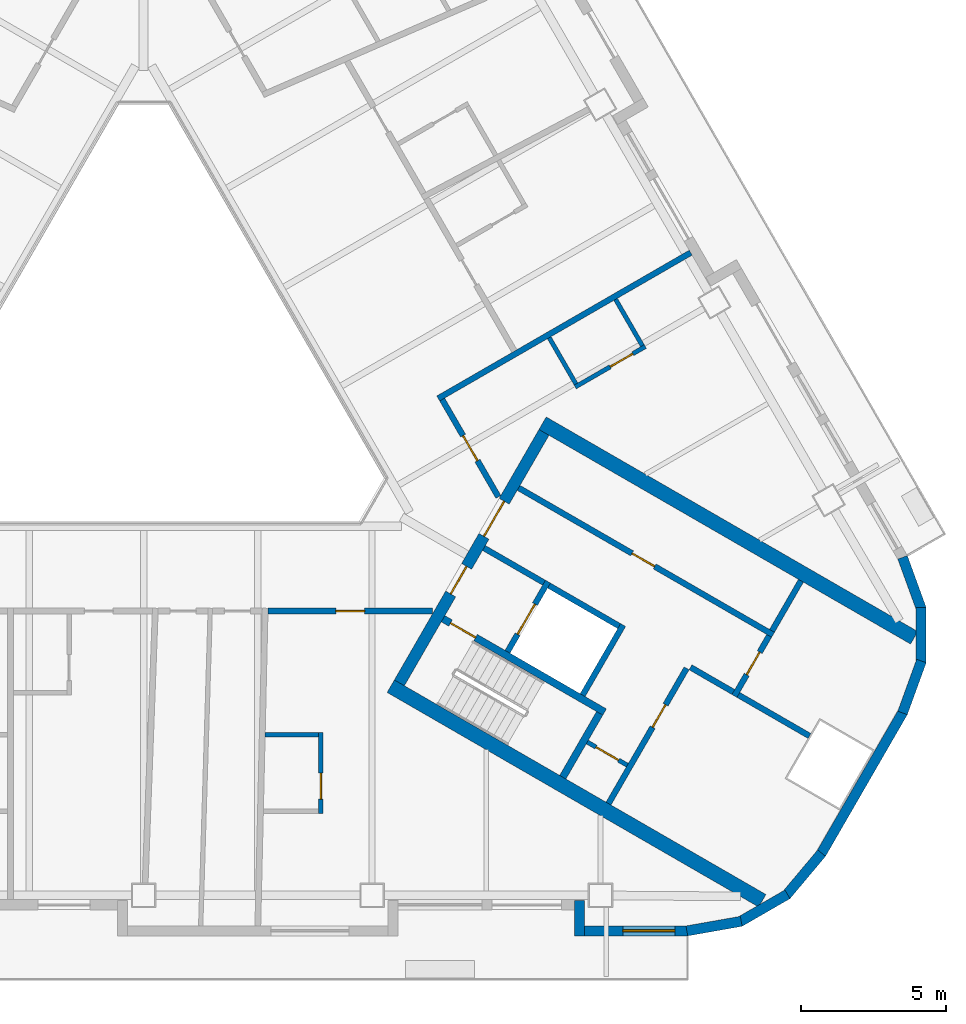
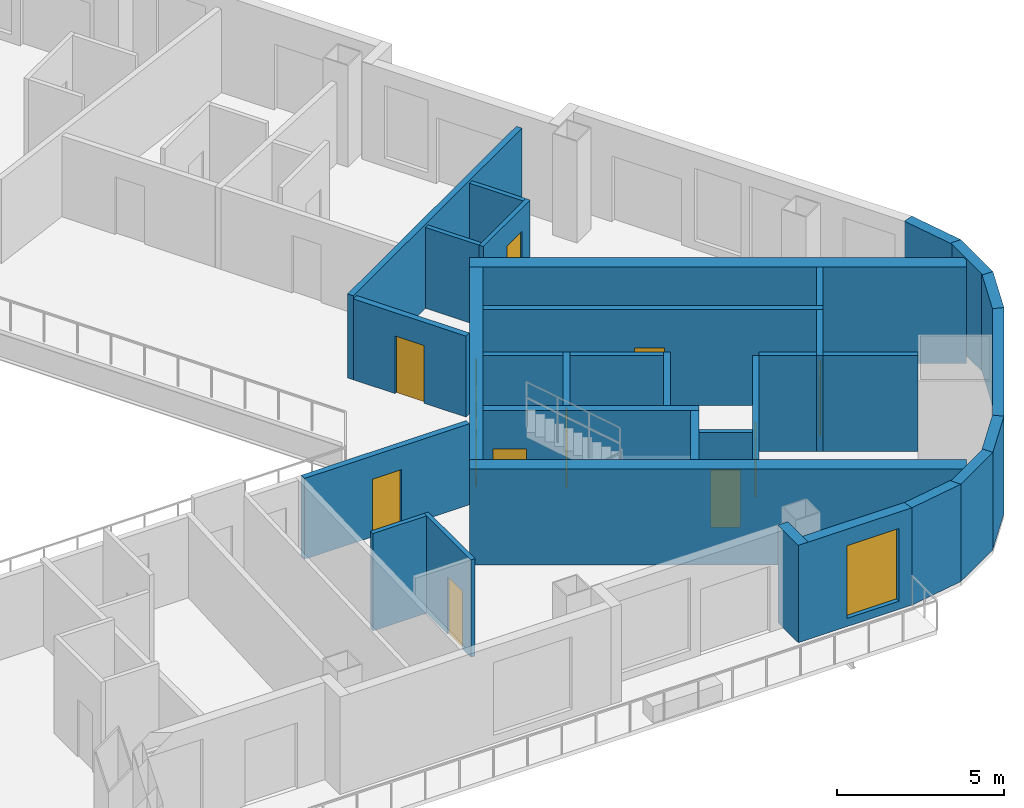
# One storey, part 5 of 14: 33 walls, 12 doors, 1 window, 13 openings.
"""IFC4 building model written with IfcOpenShell, lengths in metres."""

import ifcopenshell
import ifcopenshell.guid

model = None  # the IFC model being written
_history = None  # IfcOwnerHistory: only IFC2X3 demands one
_inside = {}  # id of a spatial element -> (the spatial element, [elements in it])
_under = {}  # id of a project, library or spatial element -> (it, [spatial elements below it])
_declared = {}  # id of a project -> (the project, [libraries it declares])
_typed = {}  # id of a type object -> (the type object, [elements of that type])
_made_of = {}  # id of a material, layer set ... -> (it, [elements and type objects made of it])


def new_model(schema):
    """Start an empty IFC model of exactly this schema.

    Asked for "IFC4X3", IfcOpenShell would pick the latest addendum, in which some entities
    have other attributes; the version numbers below select the first issue.
    IFC2X3 requires an IfcOwnerHistory on every rooted entity: one is made here for all.
    """
    global model, _history
    if schema == "IFC4X3":
        model = ifcopenshell.file(schema_version=(4, 3, 0, 0))
    else:
        model = ifcopenshell.file(schema=schema)
    _inside.clear()
    _under.clear()
    _declared.clear()
    _typed.clear()
    _made_of.clear()
    _history = None
    if model.schema == "IFC2X3":
        org = make("IfcOrganization", Name="unknown")
        user = make(
            "IfcPersonAndOrganization",
            ThePerson=make("IfcPerson", FamilyName="unknown"),
            TheOrganization=org,
        )
        app = make(
            "IfcApplication",
            ApplicationDeveloper=org,
            Version="unknown",
            ApplicationFullName="unknown",
            ApplicationIdentifier="unknown",
        )
        _history = make(
            "IfcOwnerHistory",
            OwningUser=user,
            OwningApplication=app,
            ChangeAction="ADDED",
            CreationDate=0,
        )
    return model


def make(cls, **values):
    """One entity of the class cls with the attributes given. An attribute that is None is left unset."""
    return model.create_entity(
        cls, **{name: value for name, value in values.items() if value is not None}
    )


def rooted(cls, **values):
    """An entity with a GlobalId (a new one), such as an element, a storey or a relation."""
    return make(cls, GlobalId=ifcopenshell.guid.new(), OwnerHistory=_history, **values)


def si_unit(unit_type, name, prefix=None):
    """IfcSIUnit, for example si_unit("LENGTHUNIT", "METRE", prefix="MILLI")."""
    return make("IfcSIUnit", UnitType=unit_type, Prefix=prefix, Name=name)


def assignment(units):
    """IfcUnitAssignment: the units of a project."""
    return None if units is None else make("IfcUnitAssignment", Units=units)


def point(xyz):
    """IfcCartesianPoint."""
    return None if xyz is None else make("IfcCartesianPoint", Coordinates=xyz)


def direction(xyz):
    """IfcDirection."""
    return None if xyz is None else make("IfcDirection", DirectionRatios=xyz)


def frame(location, z_axis=None, x_axis=None):
    """IfcAxis2Placement3D, a coordinate frame: its origin and axes. An axis left out is left unset."""
    return make(
        "IfcAxis2Placement3D",
        Location=point(location),
        Axis=direction(z_axis),
        RefDirection=direction(x_axis),
    )


def frame_2d(location, x_axis=None):
    """IfcAxis2Placement2D, a coordinate frame in the plane: its origin and x axis."""
    return make(
        "IfcAxis2Placement2D", Location=point(location), RefDirection=direction(x_axis)
    )


def origin():
    """The frame at (0, 0, 0) with its axes left unset."""
    return frame((0.0, 0.0, 0.0))


def place(relative_to, where):
    """IfcLocalPlacement: puts the frame where relative to a parent placement (None: the world)."""
    return make(
        "IfcLocalPlacement", PlacementRelTo=relative_to, RelativePlacement=where
    )


def context(
    kind, dimensions, precision=None, world=None, true_north=None, identifier=None
):
    """IfcGeometricRepresentationContext, for example the 3D "Model" context."""
    return make(
        "IfcGeometricRepresentationContext",
        ContextIdentifier=identifier,
        ContextType=kind,
        CoordinateSpaceDimension=dimensions,
        Precision=precision,
        WorldCoordinateSystem=world,
        TrueNorth=true_north,
    )


def subcontext(parent, identifier, kind, view, scale=None):
    """IfcGeometricRepresentationSubContext, for example "Body" below "Model"."""
    return make(
        "IfcGeometricRepresentationSubContext",
        ContextIdentifier=identifier,
        ContextType=kind,
        ParentContext=parent,
        TargetScale=scale,
        TargetView=view,
    )


def project(units=None, contexts=None):
    """IfcProject with its units and contexts."""
    return rooted(
        "IfcProject",
        Name="project",
        RepresentationContexts=contexts,
        UnitsInContext=assignment(units),
    )


def spatial(cls, under=None, at=None, **own):
    """A site, building, storey or space (cls), placed at a placement, below another one or the project."""
    s = rooted(cls, ObjectPlacement=at, **own)
    if under is not None:
        _under.setdefault(under.id(), (under, []))[1].append(s)
    return s


def profile(cls, at=None, kind="AREA", **sizes):
    """A parametric profile (cls). Its sizes go by their IFC names, for example OverallWidth=200.0."""
    return make(cls, ProfileType=kind, Position=at, **sizes)


def rectangle(**sizes):
    """IfcRectangleProfileDef."""
    return profile("IfcRectangleProfileDef", **sizes)


def extrude(swept, where, along, depth):
    """IfcExtrudedAreaSolid: the profile swept, set in the frame where, extruded along a direction by depth."""
    return make(
        "IfcExtrudedAreaSolid",
        SweptArea=swept,
        Position=where,
        ExtrudedDirection=direction(along),
        Depth=depth,
    )


def shape(context_of_items, identifier, shape_type, items):
    """IfcShapeRepresentation: the items that make up one representation, for example the "Body"."""
    return make(
        "IfcShapeRepresentation",
        ContextOfItems=context_of_items,
        RepresentationIdentifier=identifier,
        RepresentationType=shape_type,
        Items=items,
    )


def material(Name=None, Category=None):
    """IfcMaterial."""
    return make("IfcMaterial", Name=Name, Category=Category)


def layer(
    of_material, thickness, ventilated=None, Name=None, Category=None, Priority=None
):
    """IfcMaterialLayer: one layer of a wall or slab, of a material (None: an air gap)."""
    return make(
        "IfcMaterialLayer",
        Material=of_material,
        LayerThickness=thickness,
        IsVentilated=ventilated,
        Name=Name,
        Category=Category,
        Priority=Priority,
    )


def layer_set(layers, Name=None):
    """IfcMaterialLayerSet."""
    return make("IfcMaterialLayerSet", MaterialLayers=layers, LayerSetName=Name)


def made_of(thing, what):
    """Note that an element or type object is made of a material, layer set ...; save() writes the relation."""
    if what is not None:
        _made_of.setdefault(what.id(), (what, []))[1].append(thing)
    return thing


def type_object(cls, material=None, **own):
    """A type object (cls), such as IfcWallType, which elements share."""
    return made_of(rooted(cls, **own), material)


def element(
    cls,
    number,
    at=None,
    inside=None,
    cuts=None,
    type_object=None,
    material=None,
    context=None,
    identifier="Body",
    shape_type=None,
    held_by="IfcProductDefinitionShape",
    body=None,
    shapes=None,
    **own,
):
    """One element of the class cls, such as IfcWall. Its Tag is "e" and its number.

    at: its placement. inside: the storey or other place that contains it. cuts: it is an
    opening in that element (IfcRelVoidsElement). A single representation is given by context,
    identifier, shape_type and body (its items); several are given by shapes. held_by: the class
    of the entity that holds the representations. save() writes the other relations.
    """
    e = rooted(cls, Tag="e%d" % number, ObjectPlacement=at, **own)
    if body is not None:
        shapes = [shape(context, identifier, shape_type, body)]
    if shapes is not None:
        e.Representation = make(held_by, Representations=shapes)
    if inside is not None:
        _inside.setdefault(inside.id(), (inside, []))[1].append(e)
    if cuts is not None:
        rooted(
            "IfcRelVoidsElement", RelatingBuildingElement=cuts, RelatedOpeningElement=e
        )
    if type_object is not None:
        _typed.setdefault(type_object.id(), (type_object, []))[1].append(e)
    return made_of(e, material)


def fill(opening, filler):
    """IfcRelFillsElement: the door or window that sits in an opening."""
    return rooted(
        "IfcRelFillsElement",
        RelatingOpeningElement=opening,
        RelatedBuildingElement=filler,
    )


def aggregate(whole, parts):
    """IfcRelAggregates: a whole, such as a stair, and the parts it consists of."""
    return rooted("IfcRelAggregates", RelatingObject=whole, RelatedObjects=parts)


def save(model, path):
    """Write the relations noted so far, then the file.

    IfcRelAggregates (storeys below a building ...), IfcRelContainedInSpatialStructure (elements
    in a storey), IfcRelDefinesByType, IfcRelAssociatesMaterial and IfcRelDeclares: one each for
    every whole, place, type object, material and project.
    """
    for whole, parts in _under.values():
        aggregate(whole, parts)
    for where, things in _inside.values():
        rooted(
            "IfcRelContainedInSpatialStructure",
            RelatedElements=things,
            RelatingStructure=where,
        )
    for kind, things in _typed.values():
        rooted("IfcRelDefinesByType", RelatedObjects=things, RelatingType=kind)
    for what, things in _made_of.values():
        rooted("IfcRelAssociatesMaterial", RelatedObjects=things, RelatingMaterial=what)
    for by, libraries in _declared.values():
        rooted("IfcRelDeclares", RelatingContext=by, RelatedDefinitions=libraries)
    model.write(path)


model = new_model("IFC4")

# Units and contexts
model_context = context("Model", 3, precision=1e-05, world=origin(), true_north=direction((0.0, 1.0)))
body_context = subcontext(model_context, "Body", "Model", "MODEL_VIEW")
ifc_project = project(units=[si_unit("LENGTHUNIT", "METRE"), si_unit("AREAUNIT", "SQUARE_METRE"), si_unit("VOLUMEUNIT", "CUBIC_METRE"), si_unit("PLANEANGLEUNIT", "RADIAN"), si_unit("MASSUNIT", "GRAM", prefix="KILO")], contexts=[model_context])

# Site, building, storey
site_placement = place(None, origin())
site = spatial("IfcSite", under=ifc_project, at=site_placement, CompositionType="ELEMENT")
building_placement = place(site_placement, origin())
building = spatial("IfcBuilding", under=site, at=building_placement, Name="Apuvela Tower Hotel", CompositionType="ELEMENT")
storey_placement = place(building_placement, frame((0.0, 0.0, 157.699951171875)))
storey = spatial("IfcBuildingStorey", under=building, at=storey_placement, Name="L37", CompositionType="ELEMENT", Elevation=157.699951171875)

# Wall, openings, doors
ifc_material_1 = material(Name="Concrete C50/60", Category="concrete")
ifc_layer_1 = layer(ifc_material_1, 0.39990234375)
ifc_layer_set_1 = layer_set([ifc_layer_1], Name="COR-WALL-CORE-400")
wall_type_1 = type_object("IfcWallType", Name="COR-WALL-CORE-400", PredefinedType="SHEAR", material=ifc_layer_set_1)
wall_1_placement = place(storey_placement, frame((8.844970703125, -10.880126953125, 0.0), z_axis=(0.0, 0.0, 1.0), x_axis=(0.500004234368, 0.866022959057, 0.0)))
wall_1 = element("IfcWall", 1, at=wall_1_placement, inside=storey, type_object=wall_type_1, Name="Core wall SE", PredefinedType="SHEAR", context=body_context, shape_type="SweptSolid", body=[
    extrude(rectangle(XDim=10.0, YDim=0.39990234375, at=frame_2d((5.0, 0.0))), origin(), (0.0, 0.0, 1.0), 3.5),
])
opening_1_placement = place(wall_1_placement, frame((3.550048828125, 0.0, 0.0)))
opening_1 = element("IfcOpeningElement", 2, at=opening_1_placement, cuts=wall_1, Name="Opening E-FD", PredefinedType="OPENING", context=body_context, shape_type="SweptSolid", body=[
    extrude(rectangle(XDim=1.10009765625, YDim=2.10009765625, at=frame_2d((0.550048828125, 1.050048828125))), frame((0.0, 0.2099609375, 0.0), z_axis=(0.0, -1.0, 0.0), x_axis=(1.0, 0.0, 0.0)), (0.0, 0.0, 1.0), 0.419921875),
])
opening_2_placement = place(wall_1_placement, frame((5.85009765625, 0.0, 0.0)))
opening_2 = element("IfcOpeningElement", 3, at=opening_2_placement, cuts=wall_1, Name="Opening E-GD", PredefinedType="OPENING", context=body_context, shape_type="SweptSolid", body=[
    extrude(rectangle(XDim=1.39990234375, YDim=2.10009765625, at=frame_2d((0.699951171875, 1.050048828125))), frame((0.0, 0.2099609375, 0.0), z_axis=(0.0, -1.0, 0.0), x_axis=(1.0, 0.0, 0.0)), (0.0, 0.0, 1.0), 0.419921875),
])
ifc_material_2 = material(Name="Steel fire door, powder coated", Category="steel")
door_type_1 = type_object("IfcDoorType", Name="COR-FD-1100", OperationType="NOTDEFINED", PredefinedType="DOOR", material=ifc_material_2)
door_1_placement = place(opening_1_placement, frame((1.10009765625, 0.0, 0.0), z_axis=(0.0, 0.0, 1.0), x_axis=(-1.0, 0.0, 0.0)))
door_1 = element("IfcDoor", 4, at=door_1_placement, inside=storey, type_object=door_type_1, Name="Firefighting lobby door E-FD", OperationType="SINGLE_SWING_LEFT", OverallHeight=2.10009765625, OverallWidth=1.10009765625, PredefinedType="DOOR", context=body_context, shape_type="SweptSolid", body=[
    extrude(rectangle(XDim=1.10009765625, YDim=2.10009765625, at=frame_2d((0.550048828125, 1.050048828125))), frame((0.0, 0.02490234375, 0.0), z_axis=(0.0, -1.0, 0.0), x_axis=(1.0, 0.0, 0.0)), (0.0, 0.0, 1.0), 0.050048828125),
])
fill(opening_1, door_1)
ifc_material_3 = material(Name="Glazed steel fire door", Category="steel")
door_type_2 = type_object("IfcDoorType", Name="COR-GD-1400", OperationType="DOUBLE_DOOR_SINGLE_SWING", PredefinedType="DOOR", material=ifc_material_3)
door_2_placement = place(opening_2_placement, frame((1.39990234375, 0.0, 0.0), z_axis=(0.0, 0.0, 1.0), x_axis=(-1.0, 0.0, 0.0)))
door_2 = element("IfcDoor", 5, at=door_2_placement, inside=storey, type_object=door_type_2, Name="Lift lobby door E-GD", OperationType="DOUBLE_DOOR_SINGLE_SWING", OverallHeight=2.10009765625, OverallWidth=1.39990234375, PredefinedType="DOOR", context=body_context, shape_type="SweptSolid", body=[
    extrude(rectangle(XDim=1.39990234375, YDim=2.10009765625, at=frame_2d((0.699951171875, 1.050048828125))), frame((0.0, 0.02490234375, 0.0), z_axis=(0.0, -1.0, 0.0), x_axis=(1.0, 0.0, 0.0)), (0.0, 0.0, 1.0), 0.050048828125),
])
fill(opening_2, door_2)

# Walls
ifc_layer_2 = layer(ifc_material_1, 0.5)
ifc_layer_set_2 = layer_set([ifc_layer_2], Name="COR-WALL-CORE-500")
wall_type_2 = type_object("IfcWallType", Name="COR-WALL-CORE-500", PredefinedType="SHEAR", material=ifc_layer_set_2)
for number, where, z_axis, x_axis, name in (
    (6, (8.546630859375, -10.99658203125, 0.0), (0.0, 0.0, 1.0), (0.866025009528, -0.500000682871, 0.0), "Core wall SE"),
    (7, (13.796630859375, -1.9033203125, 0.0), (0.0, 0.0, 1.0), (0.866025009528, -0.500000682871, 0.0), "Core wall SE"),
):
    element("IfcWall", number, at=place(storey_placement, frame(where, z_axis=z_axis, x_axis=x_axis)), inside=storey, type_object=wall_type_2, Name=name, PredefinedType="SHEAR", context=body_context, shape_type="SweptSolid", body=[
        extrude(rectangle(XDim=14.8369140625, YDim=0.5, at=frame_2d((7.41845703125, 0.0))), origin(), (0.0, 0.0, 1.0), 3.5),
    ])

# Wall, opening, door
ifc_material_4 = material(Name="Blockwork 150 mm plastered", Category="masonry")
ifc_layer_3 = layer(ifc_material_4, 0.14990234375)
ifc_layer_set_3 = layer_set([ifc_layer_3], Name="COR-WALL-PART-150")
wall_type_3 = type_object("IfcWallType", Name="COR-WALL-PART-150", PredefinedType="PARTITIONING", material=ifc_layer_set_3)
wall_2_placement = place(storey_placement, frame((15.341552734375, -12.927734375, 0.0), z_axis=(0.0, 0.0, 1.0), x_axis=(0.865989903783, -0.500061482766, 0.0)))
wall_2 = element("IfcWall", 8, at=wall_2_placement, inside=storey, type_object=wall_type_3, Name="Partition SE", PredefinedType="PARTITIONING", context=body_context, shape_type="SweptSolid", body=[
    extrude(rectangle(XDim=1.599853515625, YDim=0.14990234375, at=frame_2d((0.7998046875, 0.0))), origin(), (0.0, 0.0, 1.0), 3.5),
])
opening_3_placement = place(wall_2_placement, frame((0.35009765625, 0.0, 0.0)))
opening_3 = element("IfcOpeningElement", 9, at=opening_3_placement, cuts=wall_2, Name="Opening E-RD", PredefinedType="OPENING", context=body_context, shape_type="SweptSolid", body=[
    extrude(rectangle(XDim=0.89990234375, YDim=2.10009765625, at=frame_2d((0.449951171875, 1.050048828125))), frame((0.0, 0.0849609375, 0.0), z_axis=(0.0, -1.0, 0.0), x_axis=(1.0, 0.0, 0.0)), (0.0, 0.0, 1.0), 0.169921875),
])
ifc_material_5 = material(Name="Steel access door, powder coated", Category="steel")
door_type_3 = type_object("IfcDoorType", Name="COR-RD-900", OperationType="NOTDEFINED", PredefinedType="DOOR", material=ifc_material_5)
door_3_placement = place(opening_3_placement, frame((0.89990234375, 0.0, 0.0), z_axis=(0.0, 0.0, 1.0), x_axis=(-1.0, 0.0, 0.0)))
door_3 = element("IfcDoor", 10, at=door_3_placement, inside=storey, type_object=door_type_3, Name="Riser door E-RD", OperationType="SINGLE_SWING_LEFT", OverallHeight=2.10009765625, OverallWidth=0.89990234375, PredefinedType="DOOR", context=body_context, shape_type="SweptSolid", body=[
    extrude(rectangle(XDim=0.89990234375, YDim=2.10009765625, at=frame_2d((0.449951171875, 1.050048828125))), frame((0.0, 0.02490234375, 0.0), z_axis=(0.0, -1.0, 0.0), x_axis=(1.0, 0.0, 0.0)), (0.0, 0.0, 1.0), 0.050048828125),
])
fill(opening_3, door_3)

ifc_material_6 = material(Name="Blockwork 200 mm plastered", Category="masonry")
ifc_layer_4 = layer(ifc_material_6, 0.199951171875)
ifc_layer_set_4 = layer_set([ifc_layer_4], Name="COR-WALL-PART-200")
wall_type_4 = type_object("IfcWallType", Name="COR-WALL-PART-200", PredefinedType="PARTITIONING", material=ifc_layer_set_4)
wall_3_placement = place(storey_placement, frame((16.076171875, -15.05517578125, 0.0), z_axis=(0.0, 0.0, 1.0), x_axis=(0.499995103361, 0.866028230842, 0.0)))
wall_3 = element("IfcWall", 11, at=wall_3_placement, inside=storey, type_object=wall_type_4, Name="Partition SE", PredefinedType="PARTITIONING", context=body_context, shape_type="SweptSolid", body=[
    extrude(rectangle(XDim=5.39990234375, YDim=0.199951171875, at=frame_2d((2.699951171875, 0.0))), origin(), (0.0, 0.0, 1.0), 3.5),
])
opening_4_placement = place(wall_3_placement, frame((3.050048828125, 0.0, 0.0)))
opening_4 = element("IfcOpeningElement", 12, at=opening_4_placement, cuts=wall_3, Name="Opening E-RS1", PredefinedType="OPENING", context=body_context, shape_type="SweptSolid", body=[
    extrude(rectangle(XDim=0.89990234375, YDim=2.10009765625, at=frame_2d((0.449951171875, 1.050048828125))), frame((0.0, 0.10986328125, 0.0), z_axis=(0.0, -1.0, 0.0), x_axis=(1.0, 0.0, 0.0)), (0.0, 0.0, 1.0), 0.219970703125),
])
door_type_4 = type_object("IfcDoorType", Name="COR-DR-900", OperationType="NOTDEFINED", PredefinedType="DOOR", material=ifc_material_2)
door_4_placement = place(opening_4_placement, frame((0.89990234375, 0.0, 0.0), z_axis=(0.0, 0.0, 1.0), x_axis=(-1.0, 0.0, 0.0)))
door_4 = element("IfcDoor", 13, at=door_4_placement, inside=storey, type_object=door_type_4, Name="Store door E-RS1", OperationType="SINGLE_SWING_LEFT", OverallHeight=2.10009765625, OverallWidth=0.89990234375, PredefinedType="DOOR", context=body_context, shape_type="SweptSolid", body=[
    extrude(rectangle(XDim=0.89990234375, YDim=2.10009765625, at=frame_2d((0.449951171875, 1.050048828125))), frame((0.0, 0.02490234375, 0.0), z_axis=(0.0, -1.0, 0.0), x_axis=(1.0, 0.0, 0.0)), (0.0, 0.0, 1.0), 0.050048828125),
])
fill(opening_4, door_4)

# Wall
ifc_layer_5 = layer(ifc_material_1, 0.199951171875)
ifc_layer_set_5 = layer_set([ifc_layer_5], Name="COR-WALL-SHAFT-200")
wall_type_5 = type_object("IfcWallType", Name="COR-WALL-SHAFT-200", PredefinedType="SHEAR", material=ifc_layer_set_5)
wall_4_placement = place(storey_placement, frame((15.181396484375, -11.305419921875, 0.0), z_axis=(0.0, 0.0, 1.0), x_axis=(0.49994636267, 0.866056369097, 0.0)))
element("IfcWall", 14, at=wall_4_placement, inside=storey, type_object=wall_type_5, Name="Shaft wall SE", PredefinedType="SHEAR", context=body_context, shape_type="SweptSolid", body=[
    extrude(rectangle(XDim=2.800048828125, YDim=0.199951171875, at=frame_2d((1.39990234375, 0.0))), origin(), (0.0, 0.0, 1.0), 3.5),
])

# Wall, opening, door
wall_5_placement = place(storey_placement, frame((12.583251953125, -9.805419921875, 0.0), z_axis=(0.0, 0.0, 1.0), x_axis=(0.49994636267, 0.866056369097, 0.0)))
wall_5 = element("IfcWall", 15, at=wall_5_placement, inside=storey, type_object=wall_type_5, Name="Shaft wall SE", PredefinedType="SHEAR", context=body_context, shape_type="SweptSolid", body=[
    extrude(rectangle(XDim=2.800048828125, YDim=0.199951171875, at=frame_2d((1.39990234375, 0.0))), origin(), (0.0, 0.0, 1.0), 3.5),
])
opening_5_placement = place(wall_5_placement, frame((0.699951171875, 0.0, 0.0)))
opening_5 = element("IfcOpeningElement", 16, at=opening_5_placement, cuts=wall_5, Name="Opening E-LD-FS3", PredefinedType="OPENING", context=body_context, shape_type="SweptSolid", body=[
    extrude(rectangle(XDim=1.199951171875, YDim=2.10009765625, at=frame_2d((0.60009765625, 1.050048828125))), frame((0.0, 0.10986328125, 0.0), z_axis=(0.0, -1.0, 0.0), x_axis=(1.0, 0.0, 0.0)), (0.0, 0.0, 1.0), 0.219970703125),
])
ifc_material_7 = material(Name="Stainless steel lift landing door", Category="steel")
door_type_5 = type_object("IfcDoorType", Name="COR-LD-1200", OperationType="DOUBLE_DOOR_SLIDING", PredefinedType="DOOR", material=ifc_material_7)
door_5_placement = place(opening_5_placement, origin())
door_5 = element("IfcDoor", 17, at=door_5_placement, inside=storey, type_object=door_type_5, Name="Lift landing door E-LD-FS3", OperationType="DOUBLE_DOOR_SLIDING", OverallHeight=2.10009765625, OverallWidth=1.199951171875, PredefinedType="DOOR", context=body_context, shape_type="SweptSolid", body=[
    extrude(rectangle(XDim=1.199951171875, YDim=2.10009765625, at=frame_2d((0.60009765625, 1.050048828125))), frame((0.0, 0.02490234375, 0.0), z_axis=(0.0, -1.0, 0.0), x_axis=(1.0, 0.0, 0.0)), (0.0, 0.0, 1.0), 0.050048828125),
])
fill(opening_5, door_5)

# Walls
wall_6_placement = place(storey_placement, frame((11.76806640625, -6.217041015625, 0.0), z_axis=(0.0, 0.0, 1.0), x_axis=(0.866050077142, -0.499957262057, 0.0)))
element("IfcWall", 18, at=wall_6_placement, inside=storey, type_object=wall_type_5, Name="Shaft wall SE", PredefinedType="SHEAR", context=body_context, shape_type="SweptSolid", body=[
    extrude(rectangle(XDim=2.400146484375, YDim=0.199951171875, at=frame_2d((1.2001953125, 0.0))), origin(), (0.0, 0.0, 1.0), 3.5),
])
wall_7_placement = place(storey_placement, frame((14.019775390625, -7.51708984375, 0.0), z_axis=(0.0, 0.0, 1.0), x_axis=(0.866034573852, -0.49998411664, 0.0)))
element("IfcWall", 19, at=wall_7_placement, inside=storey, type_object=wall_type_5, Name="Shaft wall SE", PredefinedType="SHEAR", context=body_context, shape_type="SweptSolid", body=[
    extrude(rectangle(XDim=2.7998046875, YDim=0.199951171875, at=frame_2d((1.39990234375, 0.0))), origin(), (0.0, 0.0, 1.0), 3.5),
])

# Wall, opening, door
wall_8_placement = place(storey_placement, frame((12.968017578125, -4.138427734375, 0.0), z_axis=(0.0, 0.0, 1.0), x_axis=(0.866028328073, -0.49999493495, 0.0)))
wall_8 = element("IfcWall", 20, at=wall_8_placement, inside=storey, type_object=wall_type_5, Name="Shaft wall SE", PredefinedType="SHEAR", context=body_context, shape_type="SweptSolid", body=[
    extrude(rectangle(XDim=10.16015625, YDim=0.199951171875, at=frame_2d((5.080078125, 0.0))), origin(), (0.0, 0.0, 1.0), 3.5),
])
opening_6_placement = place(wall_8_placement, frame((4.530029296875, 0.0, 0.0)))
opening_6 = element("IfcOpeningElement", 21, at=opening_6_placement, cuts=wall_8, Name="Opening E-RE1", PredefinedType="OPENING", context=body_context, shape_type="SweptSolid", body=[
    extrude(rectangle(XDim=0.89990234375, YDim=2.10009765625, at=frame_2d((0.449951171875, 1.050048828125))), frame((0.0, 0.10986328125, 0.0), z_axis=(0.0, -1.0, 0.0), x_axis=(1.0, 0.0, 0.0)), (0.0, 0.0, 1.0), 0.219970703125),
])
door_6_placement = place(opening_6_placement, origin())
door_6 = element("IfcDoor", 22, at=door_6_placement, inside=storey, type_object=door_type_4, Name="Store door E-RE1", OperationType="SINGLE_SWING_LEFT", OverallHeight=2.10009765625, OverallWidth=0.89990234375, PredefinedType="DOOR", context=body_context, shape_type="SweptSolid", body=[
    extrude(rectangle(XDim=0.89990234375, YDim=2.10009765625, at=frame_2d((0.449951171875, 1.050048828125))), frame((0.0, 0.02490234375, 0.0), z_axis=(0.0, -1.0, 0.0), x_axis=(1.0, 0.0, 0.0)), (0.0, 0.0, 1.0), 0.050048828125),
])
fill(opening_6, door_6)

wall_9_placement = place(storey_placement, frame((20.430419921875, -11.33349609375, 0.0), z_axis=(0.0, 0.0, 1.0), x_axis=(0.500001309137, 0.866024647952, 0.0)))
wall_9 = element("IfcWall", 23, at=wall_9_placement, inside=storey, type_object=wall_type_5, Name="Shaft wall SE", PredefinedType="SHEAR", context=body_context, shape_type="SweptSolid", body=[
    extrude(rectangle(XDim=2.39990234375, YDim=0.199951171875, at=frame_2d((1.199951171875, 0.0))), origin(), (0.0, 0.0, 1.0), 3.5),
])
opening_7_placement = place(wall_9_placement, frame((0.85009765625, 0.0, 0.0)))
opening_7 = element("IfcOpeningElement", 24, at=opening_7_placement, cuts=wall_9, Name="Opening E-REP", PredefinedType="OPENING", context=body_context, shape_type="SweptSolid", body=[
    extrude(rectangle(XDim=0.89990234375, YDim=2.10009765625, at=frame_2d((0.449951171875, 1.050048828125))), frame((0.0, 0.10986328125, 0.0), z_axis=(0.0, -1.0, 0.0), x_axis=(1.0, 0.0, 0.0)), (0.0, 0.0, 1.0), 0.219970703125),
])
door_7_placement = place(opening_7_placement, frame((0.89990234375, 0.0, 0.0), z_axis=(0.0, 0.0, 1.0), x_axis=(-1.0, 0.0, 0.0)))
door_7 = element("IfcDoor", 25, at=door_7_placement, inside=storey, type_object=door_type_4, Name="Store door E-REP", OperationType="SINGLE_SWING_RIGHT", OverallHeight=2.10009765625, OverallWidth=0.89990234375, PredefinedType="DOOR", context=body_context, shape_type="SweptSolid", body=[
    extrude(rectangle(XDim=0.89990234375, YDim=2.10009765625, at=frame_2d((0.449951171875, 1.050048828125))), frame((0.0, 0.02490234375, 0.0), z_axis=(0.0, -1.0, 0.0), x_axis=(1.0, 0.0, 0.0)), (0.0, 0.0, 1.0), 0.050048828125),
])
fill(opening_7, door_7)

# Walls
wall_10_placement = place(storey_placement, frame((18.912841796875, -10.342041015625, 0.0), z_axis=(0.0, 0.0, 1.0), x_axis=(0.866038183914, -0.499977863513, 0.0)))
element("IfcWall", 26, at=wall_10_placement, inside=storey, type_object=wall_type_5, Name="Shaft wall SE", PredefinedType="SHEAR", context=body_context, shape_type="SweptSolid", body=[
    extrude(rectangle(XDim=1.7099609375, YDim=0.199951171875, at=frame_2d((0.85498046875, 0.0))), origin(), (0.0, 0.0, 1.0), 3.5),
])
wall_11_placement = place(storey_placement, frame((21.73046875, -9.081787109375, 0.0), z_axis=(0.0, 0.0, 1.0), x_axis=(0.50002537861, 0.866010750942, 0.0)))
element("IfcWall", 27, at=wall_11_placement, inside=storey, type_object=wall_type_5, Name="Shaft wall SE", PredefinedType="SHEAR", context=body_context, shape_type="SweptSolid", body=[
    extrude(rectangle(XDim=2.0, YDim=0.199951171875, at=frame_2d((1.0, 0.0))), origin(), (0.0, 0.0, 1.0), 3.5),
])
wall_12_placement = place(storey_placement, frame((20.56689453125, -11.297119140625, 0.0), z_axis=(0.0, 0.0, 1.0), x_axis=(0.866055327414, -0.49994816717, 0.0)))
element("IfcWall", 28, at=wall_12_placement, inside=storey, type_object=wall_type_5, Name="Shaft wall SE", PredefinedType="SHEAR", context=body_context, shape_type="SweptSolid", body=[
    extrude(rectangle(XDim=2.840087890625, YDim=0.199951171875, at=frame_2d((1.419921875, 0.0))), origin(), (0.0, 0.0, 1.0), 3.5),
])

# Wall, opening, door
ifc_layer_6 = layer(ifc_material_1, 0.25)
ifc_layer_set_6 = layer_set([ifc_layer_6], Name="COR-WALL-STAIR-250")
wall_type_6 = type_object("IfcWallType", Name="COR-WALL-STAIR-250", PredefinedType="SHEAR", material=ifc_layer_set_6)
wall_13_placement = place(storey_placement, frame((10.355712890625, -8.66357421875, 0.0), z_axis=(0.0, 0.0, 1.0), x_axis=(0.866028629588, -0.499994412703, 0.0)))
wall_13 = element("IfcWall", 29, at=wall_13_placement, inside=storey, type_object=wall_type_6, Name="Stair wall SE", PredefinedType="SHEAR", context=body_context, shape_type="SweptSolid", body=[
    extrude(rectangle(XDim=6.44970703125, YDim=0.25, at=frame_2d((3.224853515625, 0.0))), origin(), (0.0, 0.0, 1.0), 3.5),
])
opening_8_placement = place(wall_13_placement, frame((0.300048828125, 0.0, 0.0)))
opening_8 = element("IfcOpeningElement", 30, at=opening_8_placement, cuts=wall_13, Name="Opening E-SD", PredefinedType="OPENING", context=body_context, shape_type="SweptSolid", body=[
    extrude(rectangle(XDim=1.0, YDim=2.10009765625, at=frame_2d((0.5, 1.050048828125))), frame((0.0, 0.135009765625, 0.0), z_axis=(0.0, -1.0, 0.0), x_axis=(1.0, 0.0, 0.0)), (0.0, 0.0, 1.0), 0.27001953125),
])
door_type_6 = type_object("IfcDoorType", Name="COR-SD-1000", OperationType="NOTDEFINED", PredefinedType="DOOR", material=ifc_material_2)
door_8_placement = place(opening_8_placement, frame((1.0, 0.0, 0.0), z_axis=(0.0, 0.0, 1.0), x_axis=(-1.0, 0.0, 0.0)))
door_8 = element("IfcDoor", 31, at=door_8_placement, inside=storey, type_object=door_type_6, Name="Stair door E-SD", OperationType="SINGLE_SWING_LEFT", OverallHeight=2.10009765625, OverallWidth=1.0, PredefinedType="DOOR", context=body_context, shape_type="SweptSolid", body=[
    extrude(rectangle(XDim=1.0, YDim=2.10009765625, at=frame_2d((0.5, 1.050048828125))), frame((0.0, 0.02490234375, 0.0), z_axis=(0.0, -1.0, 0.0), x_axis=(1.0, 0.0, 0.0)), (0.0, 0.0, 1.0), 0.050048828125),
])
fill(opening_8, door_8)

# Walls
wall_14_placement = place(storey_placement, frame((14.49560546875, -14.142578125, 0.0), z_axis=(0.0, 0.0, 1.0), x_axis=(0.500062241894, 0.865989465428, 0.0)))
element("IfcWall", 32, at=wall_14_placement, inside=storey, type_object=wall_type_6, Name="Stair wall SE", PredefinedType="SHEAR", context=body_context, shape_type="SweptSolid", body=[
    extrude(rectangle(XDim=2.550048828125, YDim=0.25, at=frame_2d((1.27490234375, 0.0))), origin(), (0.0, 0.0, 1.0), 3.5),
])
ifc_material_8 = material(Name="Concrete C40/50, dark pigmented precast panel", Category="concrete")
ifc_layer_7 = layer(ifc_material_8, 0.35009765625)
ifc_layer_set_7 = layer_set([ifc_layer_7], Name="ENV-WALL-350")
wall_type_7 = type_object("IfcWallType", Name="ENV-WALL-350", PredefinedType="SOLIDWALL", material=ifc_layer_set_7)
wall_15_placement = place(storey_placement, frame((15.074951171875, -18.409912109375, 0.0), z_axis=(0.0, 0.0, 1.0), x_axis=(0.0, -1.0, 0.0)))
element("IfcWall", 33, at=wall_15_placement, inside=storey, type_object=wall_type_7, Name="External wall L37-24", PredefinedType="SOLIDWALL", context=body_context, shape_type="SweptSolid", body=[
    extrude(rectangle(XDim=1.219970703125, YDim=0.35009765625, at=frame_2d((0.60986328125, 0.0))), origin(), (0.0, 0.0, 1.0), 3.550048828125),
])

# Wall, opening, window
wall_16_placement = place(storey_placement, frame((14.89990234375, -19.455078125, 0.0), z_axis=(0.0, 0.0, 1.0), x_axis=(1.0, 0.0, 0.0)))
wall_16 = element("IfcWall", 34, at=wall_16_placement, inside=storey, type_object=wall_type_7, Name="External wall L37-25", PredefinedType="SOLIDWALL", context=body_context, shape_type="SweptSolid", body=[
    extrude(rectangle(XDim=3.916015625, YDim=0.35009765625, at=frame_2d((1.9580078125, 0.0))), origin(), (0.0, 0.0, 1.0), 3.550048828125),
])
opening_9_placement = place(wall_16_placement, frame((1.674560546875, 0.0, 0.300048828125)))
opening_9 = element("IfcOpeningElement", 35, at=opening_9_placement, cuts=wall_16, Name="Opening WN18", PredefinedType="OPENING", context=body_context, shape_type="SweptSolid", body=[
    extrude(rectangle(XDim=1.800048828125, YDim=2.64990234375, at=frame_2d((0.89990234375, 1.324951171875))), frame((0.0, 0.18505859375, 0.0), z_axis=(0.0, -1.0, 0.0), x_axis=(1.0, 0.0, 0.0)), (0.0, 0.0, 1.0), 0.3701171875),
])
ifc_material_9 = material(Name="Glass, dark tinted laminated insulated glazing unit", Category="glass")
window_type = type_object("IfcWindowType", Name="ENV-WIN-1800x2650", PartitioningType="SINGLE_PANEL", PredefinedType="WINDOW", material=ifc_material_9)
window_placement = place(opening_9_placement, origin())
window = element("IfcWindow", 36, at=window_placement, inside=storey, type_object=window_type, Name="Window WN18", OverallHeight=2.64990234375, OverallWidth=1.800048828125, PartitioningType="SINGLE_PANEL", PredefinedType="WINDOW", context=body_context, shape_type="SweptSolid", body=[
    extrude(rectangle(XDim=1.800048828125, YDim=2.64990234375, at=frame_2d((0.89990234375, 1.324951171875))), frame((0.0, 0.030029296875, 0.0), z_axis=(0.0, -1.0, 0.0), x_axis=(1.0, 0.0, 0.0)), (0.0, 0.0, 1.0), 0.06005859375),
])
fill(opening_9, window)

# Walls
wall_17_placement = place(storey_placement, frame((18.785400390625, -19.457763671875, 0.0), z_axis=(0.0, 0.0, 1.0), x_axis=(0.984798995425, 0.173697837091, 0.0)))
element("IfcWall", 37, at=wall_17_placement, inside=storey, type_object=wall_type_7, Name="External wall L37-26", PredefinedType="SOLIDWALL", context=body_context, shape_type="SweptSolid", body=[
    extrude(rectangle(XDim=1.91015625, YDim=0.35009765625, at=frame_2d((0.955078125, 0.0))), origin(), (0.0, 0.0, 1.0), 3.550048828125),
])
for number, where, z_axis, x_axis, name in (
    (38, (20.609619140625, -19.146728515625, 0.0), (0.0, 0.0, 1.0), (0.866000389056, 0.500043324278, 0.0), "External wall L37-27"),
    (39, (22.21728515625, -18.230712890625, 0.0), (0.0, 0.0, 1.0), (0.642733291068, 0.76609001857, 0.0), "External wall L37-28"),
):
    element("IfcWall", number, at=place(storey_placement, frame(where, z_axis=z_axis, x_axis=x_axis)), inside=storey, type_object=wall_type_7, Name=name, PredefinedType="SOLIDWALL", context=body_context, shape_type="SweptSolid", body=[
        extrude(rectangle(XDim=1.909912109375, YDim=0.35009765625, at=frame_2d((0.955078125, 0.0))), origin(), (0.0, 0.0, 1.0), 3.550048828125),
    ])
wall_18_placement = place(storey_placement, frame((23.427490234375, -16.79248046875, 0.0), z_axis=(0.0, 0.0, 1.0), x_axis=(0.500018773155, 0.866014564827, 0.0)))
element("IfcWall", 40, at=wall_18_placement, inside=storey, type_object=wall_type_7, Name="External wall L37-29", PredefinedType="SOLIDWALL", context=body_context, shape_type="SweptSolid", body=[
    extrude(rectangle(XDim=5.657958984375, YDim=0.35009765625, at=frame_2d((2.8291015625, 0.0))), origin(), (0.0, 0.0, 1.0), 3.550048828125),
])
for number, where, z_axis, x_axis, name in (
    (41, (26.24365234375, -11.920166015625, 0.0), (0.0, 0.0, 1.0), (0.342030395486, 0.939688889242, 0.0), "External wall L37-30"),
    (42, (26.88623046875, -10.18505859375, 0.0), (0.0, 0.0, 1.0), (0.0, 1.0, 0.0), "External wall L37-31"),
    (43, (26.89697265625, -8.334716796875, 0.0), (0.0, 0.0, 1.0), (-0.342030395486, 0.939688889242, 0.0), "External wall L37-32"),
):
    element("IfcWall", number, at=place(storey_placement, frame(where, z_axis=z_axis, x_axis=x_axis)), inside=storey, type_object=wall_type_7, Name=name, PredefinedType="SOLIDWALL", context=body_context, shape_type="SweptSolid", body=[
        extrude(rectangle(XDim=1.91015625, YDim=0.35009765625, at=frame_2d((0.955078125, 0.0))), origin(), (0.0, 0.0, 1.0), 3.550048828125),
    ])
ifc_material_10 = material(Name="Gypsum board partition on twin steel stud", Category="steel")
ifc_layer_8 = layer(ifc_material_10, 0.199951171875)
ifc_layer_set_8 = layer_set([ifc_layer_8], Name="GST-PW1")
wall_type_8 = type_object("IfcWallType", Name="GST-PW1", PredefinedType="PARTITIONING", material=ifc_layer_set_8)
wall_19_placement = place(storey_placement, frame((18.91748046875, 3.993896484375, 0.0), z_axis=(0.0, 0.0, 1.0), x_axis=(-0.866022637375, -0.500004791531, 0.0)))
element("IfcWall", 44, at=wall_19_placement, inside=storey, type_object=wall_type_8, Name="L37 partition 04", PredefinedType="PARTITIONING", context=body_context, shape_type="SweptSolid", body=[
    extrude(rectangle(XDim=10.080078125, YDim=0.199951171875, at=frame_2d((5.0400390625, 0.0))), origin(), (0.0, 0.0, 1.0), 3.06005859375),
])

# Wall, opening, door
ifc_material_11 = material(Name="Gypsum board corridor wall on twin steel stud, acoustic", Category="steel")
ifc_layer_9 = layer(ifc_material_11, 0.199951171875)
ifc_layer_set_9 = layer_set([ifc_layer_9], Name="GST-PW2")
wall_type_9 = type_object("IfcWallType", Name="GST-PW2", PredefinedType="PARTITIONING", material=ifc_layer_set_9)
wall_20_placement = place(storey_placement, frame((9.98828125, -8.39990234375, 0.0), z_axis=(0.0, 0.0, 1.0), x_axis=(-1.0, 0.0, 0.0)))
wall_20 = element("IfcWall", 45, at=wall_20_placement, inside=storey, type_object=wall_type_9, Name="L37 partition 20", PredefinedType="PARTITIONING", context=body_context, shape_type="SweptSolid", body=[
    extrude(rectangle(XDim=5.68603515625, YDim=0.199951171875, at=frame_2d((2.843017578125, 0.0))), origin(), (0.0, 0.0, 1.0), 2.949951171875),
])
opening_10_placement = place(wall_20_placement, frame((2.343017578125, 0.0, 0.0)))
opening_10 = element("IfcOpeningElement", 46, at=opening_10_placement, cuts=wall_20, Name="Opening GD13-08", PredefinedType="OPENING", context=body_context, shape_type="SweptSolid", body=[
    extrude(rectangle(XDim=1.0, YDim=2.10009765625, at=frame_2d((0.5, 1.050048828125))), frame((0.0, 0.10986328125, 0.0), z_axis=(0.0, -1.0, 0.0), x_axis=(1.0, 0.0, 0.0)), (0.0, 0.0, 1.0), 0.219970703125),
])
ifc_material_12 = material(Name="Timber door leaf in steel frame", Category="steel")
door_type_7 = type_object("IfcDoorType", Name="GST-D1", OperationType="NOTDEFINED", PredefinedType="DOOR", material=ifc_material_12)
door_9_placement = place(opening_10_placement, origin())
door_9 = element("IfcDoor", 47, at=door_9_placement, inside=storey, type_object=door_type_7, Name="Door L37-08", OperationType="SINGLE_SWING_RIGHT", OverallHeight=2.10009765625, OverallWidth=1.0, PredefinedType="DOOR", context=body_context, shape_type="SweptSolid", body=[
    extrude(rectangle(XDim=1.0, YDim=2.10009765625, at=frame_2d((0.5, 1.050048828125))), frame((0.0, 0.02490234375, 0.0), z_axis=(0.0, -1.0, 0.0), x_axis=(1.0, 0.0, 0.0)), (0.0, 0.0, 1.0), 0.050048828125),
])
fill(opening_10, door_9)

wall_21_placement = place(storey_placement, frame((10.32470703125, -1.082763671875, 0.0), z_axis=(0.0, 0.0, 1.0), x_axis=(0.500008716408, -0.866020371305, 0.0)))
wall_21 = element("IfcWall", 48, at=wall_21_placement, inside=storey, type_object=wall_type_9, Name="L37 partition 24", PredefinedType="PARTITIONING", context=body_context, shape_type="SweptSolid", body=[
    extrude(rectangle(XDim=3.88818359375, YDim=0.199951171875, at=frame_2d((1.944091796875, 0.0))), origin(), (0.0, 0.0, 1.0), 2.949951171875),
])
opening_11_placement = place(wall_21_placement, frame((1.444091796875, 0.0, 0.0)))
opening_11 = element("IfcOpeningElement", 49, at=opening_11_placement, cuts=wall_21, Name="Opening GD13-10", PredefinedType="OPENING", context=body_context, shape_type="SweptSolid", body=[
    extrude(rectangle(XDim=1.0, YDim=2.10009765625, at=frame_2d((0.5, 1.050048828125))), frame((0.0, 0.10986328125, 0.0), z_axis=(0.0, -1.0, 0.0), x_axis=(1.0, 0.0, 0.0)), (0.0, 0.0, 1.0), 0.219970703125),
])
door_10_placement = place(opening_11_placement, origin())
door_10 = element("IfcDoor", 50, at=door_10_placement, inside=storey, type_object=door_type_7, Name="Door L37-10", OperationType="SINGLE_SWING_LEFT", OverallHeight=2.10009765625, OverallWidth=1.0, PredefinedType="DOOR", context=body_context, shape_type="SweptSolid", body=[
    extrude(rectangle(XDim=1.0, YDim=2.10009765625, at=frame_2d((0.5, 1.050048828125))), frame((0.0, 0.02490234375, 0.0), z_axis=(0.0, -1.0, 0.0), x_axis=(1.0, 0.0, 0.0)), (0.0, 0.0, 1.0), 0.050048828125),
])
fill(opening_11, door_10)

ifc_material_13 = material(Name="Moisture-resistant gypsum board wet wall on steel stud", Category="steel")
ifc_layer_10 = layer(ifc_material_13, 0.14990234375)
ifc_layer_set_10 = layer_set([ifc_layer_10], Name="GST-PW3")
wall_type_10 = type_object("IfcWallType", Name="GST-PW3", PredefinedType="PARTITIONING", material=ifc_layer_set_10)
wall_22_placement = place(storey_placement, frame((6.1298828125, -15.39990234375, 0.0), z_axis=(0.0, 0.0, 1.0), x_axis=(0.0, 1.0, 0.0)))
wall_22 = element("IfcWall", 51, at=wall_22_placement, inside=storey, type_object=wall_type_10, Name="L37 partition 21", PredefinedType="PARTITIONING", context=body_context, shape_type="SweptSolid", body=[
    extrude(rectangle(XDim=2.7998046875, YDim=0.14990234375, at=frame_2d((1.39990234375, 0.0))), origin(), (0.0, 0.0, 1.0), 3.550048828125),
])
opening_12_placement = place(wall_22_placement, frame((0.5, 0.0, 0.0)))
opening_12 = element("IfcOpeningElement", 52, at=opening_12_placement, cuts=wall_22, Name="Opening GD13-07", PredefinedType="OPENING", context=body_context, shape_type="SweptSolid", body=[
    extrude(rectangle(XDim=0.89990234375, YDim=2.10009765625, at=frame_2d((0.449951171875, 1.050048828125))), frame((0.0, 0.0849609375, 0.0), z_axis=(0.0, -1.0, 0.0), x_axis=(1.0, 0.0, 0.0)), (0.0, 0.0, 1.0), 0.169921875),
])
door_type_8 = type_object("IfcDoorType", Name="GST-D2", OperationType="NOTDEFINED", PredefinedType="DOOR", material=ifc_material_12)
door_11_placement = place(opening_12_placement, origin())
door_11 = element("IfcDoor", 53, at=door_11_placement, inside=storey, type_object=door_type_8, Name="Door L37-07", OperationType="SINGLE_SWING_LEFT", OverallHeight=2.10009765625, OverallWidth=0.89990234375, PredefinedType="DOOR", context=body_context, shape_type="SweptSolid", body=[
    extrude(rectangle(XDim=0.89990234375, YDim=2.10009765625, at=frame_2d((0.449951171875, 1.050048828125))), frame((0.0, 0.02490234375, 0.0), z_axis=(0.0, -1.0, 0.0), x_axis=(1.0, 0.0, 0.0)), (0.0, 0.0, 1.0), 0.050048828125),
])
fill(opening_12, door_11)

# Wall
wall_23_placement = place(storey_placement, frame((4.203125, -12.675048828125, 0.0), z_axis=(0.0, 0.0, 1.0), x_axis=(1.0, 0.0, 0.0)))
element("IfcWall", 54, at=wall_23_placement, inside=storey, type_object=wall_type_10, Name="L37 partition 23", PredefinedType="PARTITIONING", context=body_context, shape_type="SweptSolid", body=[
    extrude(rectangle(XDim=1.851806640625, YDim=0.14990234375, at=frame_2d((0.92578125, 0.0))), origin(), (0.0, 0.0, 1.0), 3.550048828125),
])

# Wall, opening, door
wall_24_placement = place(storey_placement, frame((14.92431640625, -0.64990234375, 0.0), z_axis=(0.0, 0.0, 1.0), x_axis=(0.866056369097, 0.49994636267, 0.0)))
wall_24 = element("IfcWall", 55, at=wall_24_placement, inside=storey, type_object=wall_type_10, Name="L37 partition 25", PredefinedType="PARTITIONING", context=body_context, shape_type="SweptSolid", body=[
    extrude(rectangle(XDim=2.800048828125, YDim=0.14990234375, at=frame_2d((1.39990234375, 0.0))), origin(), (0.0, 0.0, 1.0), 2.949951171875),
])
opening_13_placement = place(wall_24_placement, frame((1.39990234375, 0.0, 0.0)))
opening_13 = element("IfcOpeningElement", 56, at=opening_13_placement, cuts=wall_24, Name="Opening GD13-09", PredefinedType="OPENING", context=body_context, shape_type="SweptSolid", body=[
    extrude(rectangle(XDim=0.89990234375, YDim=2.10009765625, at=frame_2d((0.449951171875, 1.050048828125))), frame((0.0, 0.0849609375, 0.0), z_axis=(0.0, -1.0, 0.0), x_axis=(1.0, 0.0, 0.0)), (0.0, 0.0, 1.0), 0.169921875),
])
door_12_placement = place(opening_13_placement, origin())
door_12 = element("IfcDoor", 57, at=door_12_placement, inside=storey, type_object=door_type_8, Name="Door L37-09", OperationType="SINGLE_SWING_RIGHT", OverallHeight=2.10009765625, OverallWidth=0.89990234375, PredefinedType="DOOR", context=body_context, shape_type="SweptSolid", body=[
    extrude(rectangle(XDim=0.89990234375, YDim=2.10009765625, at=frame_2d((0.449951171875, 1.050048828125))), frame((0.0, 0.02490234375, 0.0), z_axis=(0.0, -1.0, 0.0), x_axis=(1.0, 0.0, 0.0)), (0.0, 0.0, 1.0), 0.050048828125),
])
fill(opening_13, door_12)

# Walls
for number, where, z_axis, x_axis, name in (
    (58, (17.246826171875, 0.777587890625, 0.0), (0.0, 0.0, 1.0), (-0.500042316284, 0.866000971088, 0.0), "L37 partition 26"),
    (59, (14.951904296875, -0.54736328125, 0.0), (0.0, 0.0, 1.0), (-0.500042316284, 0.866000971088, 0.0), "L37 partition 27"),
):
    element("IfcWall", number, at=place(storey_placement, frame(where, z_axis=z_axis, x_axis=x_axis)), inside=storey, type_object=wall_type_10, Name=name, PredefinedType="PARTITIONING", context=body_context, shape_type="SweptSolid", body=[
        extrude(rectangle(XDim=1.849853515625, YDim=0.14990234375, at=frame_2d((0.9248046875, 0.0))), origin(), (0.0, 0.0, 1.0), 2.949951171875),
    ])

save(model, "model.ifc")
